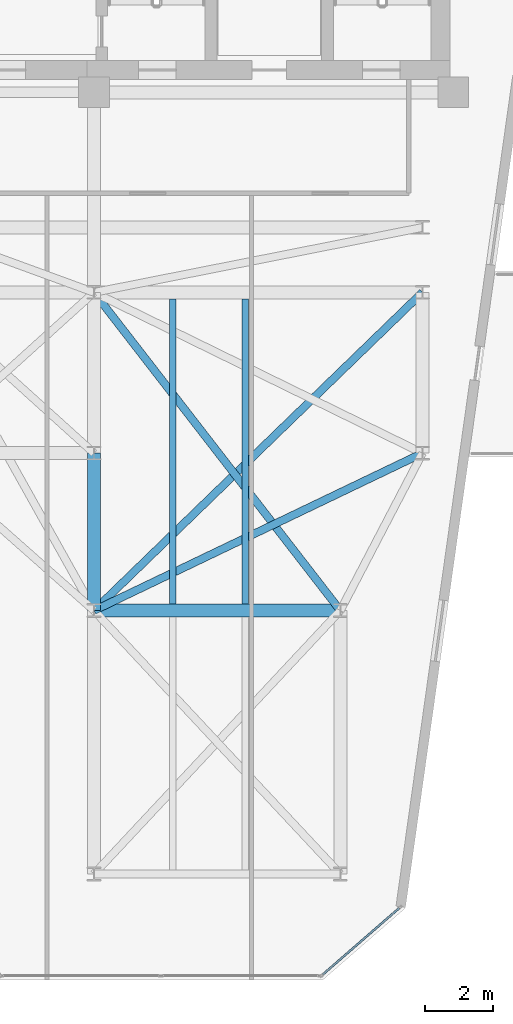
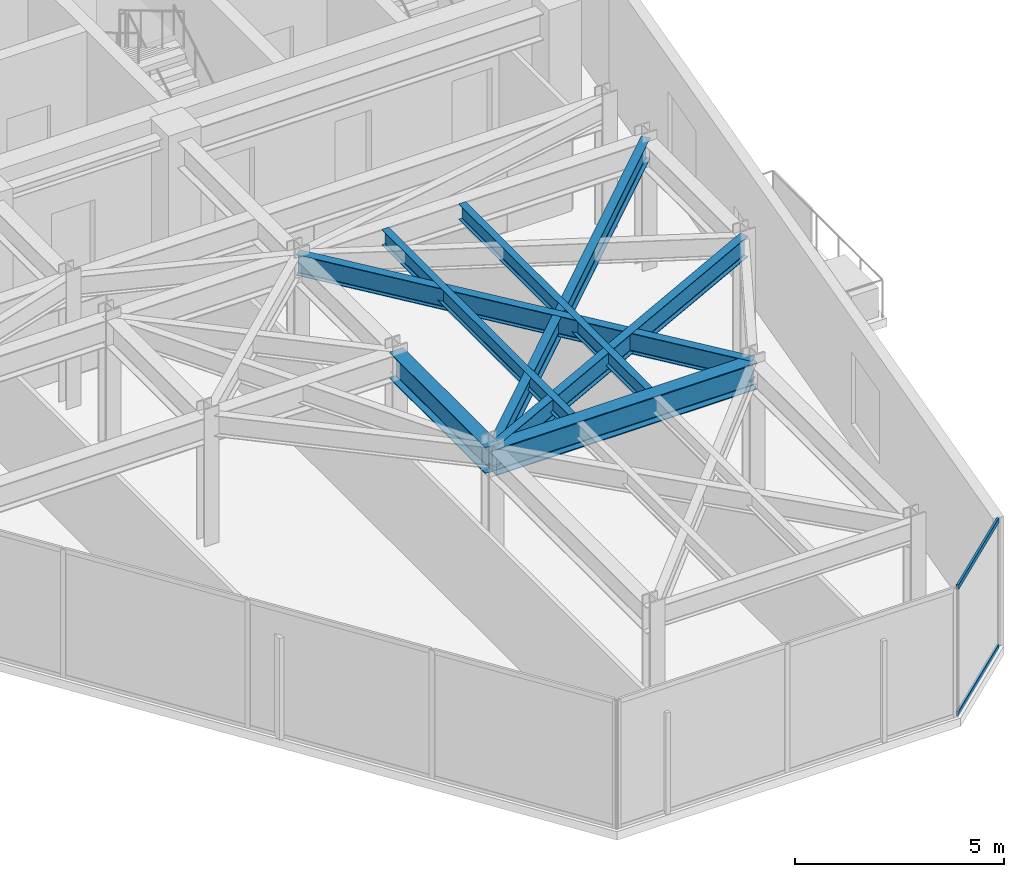
# One storey, part 13 of 21: 7 beams, 2 members, 1 element without a shape of its own.
"""IFC4 building model written with IfcOpenShell, lengths in metres."""

from ifc_helpers import new_model, si_unit, direction, frame, origin, origin_2d, place, context, subcontext, project, spatial, hollow_rectangle, i_section, extrude, material, layer, layer_set, material_profile, profile_set, type_object, element, aggregate, save


model = new_model("IFC4")

# Units and contexts
model_context = context("Model", 3, precision=1e-05, world=origin(), true_north=direction((0.0, 1.0)))
body_context = subcontext(model_context, "Body", "Model", "MODEL_VIEW")
ifc_project = project(units=[si_unit("LENGTHUNIT", "METRE"), si_unit("AREAUNIT", "SQUARE_METRE"), si_unit("VOLUMEUNIT", "CUBIC_METRE"), si_unit("PLANEANGLEUNIT", "RADIAN"), si_unit("MASSUNIT", "GRAM", prefix="KILO")], contexts=[model_context])

# Site, building, storey
site_placement = place(None, origin())
site = spatial("IfcSite", under=ifc_project, at=site_placement, CompositionType="ELEMENT")
building_placement = place(site_placement, origin())
building = spatial("IfcBuilding", under=site, at=building_placement, Name="Kravanh Interchange Tower", CompositionType="ELEMENT")
storey_placement = place(building_placement, frame((0.0, 0.0, 216.5)))
storey = spatial("IfcBuildingStorey", under=building, at=storey_placement, Name="L52", CompositionType="ELEMENT", Elevation=216.5)

# Curtain wall, members
ifc_material_1 = material(Name="Anodised Bronze Aluminium", Category="aluminium")
ifc_layer = layer(ifc_material_1, 0.179931640625)
ifc_layer_set = layer_set([ifc_layer], Name="Unitised Curtain Wall System CW-Z3 Upper Office")
curtain_wall_type = type_object("IfcCurtainWallType", Name="Unitised Curtain Wall System CW-Z3 Upper Office", PredefinedType="NOTDEFINED", material=ifc_layer_set)
curtain_wall_placement = place(storey_placement, origin())
curtain_wall = element("IfcCurtainWall", 1, at=curtain_wall_placement, inside=storey, type_object=curtain_wall_type, Name="L52 Unitised Curtain Wall CW-L52-01", PredefinedType="NOTDEFINED")
ifc_material_2 = material(Name="Anodised Bronze Aluminium", Category="aluminium")
ifc_material_profile_1 = material_profile(ifc_material_2, hollow_rectangle(XDim=0.06005859375, YDim=0.139892578125, WallThickness=0.00390625, at=origin_2d()), Name="ALU60X140X4")
ifc_profile_set_1 = profile_set([ifc_material_profile_1], Name="Anodised Bronze Aluminium")
member_type = type_object("IfcMemberType", Name="Curtain Wall Transom ALU60X140X4 Bronze", PredefinedType="USERDEFINED", material=ifc_profile_set_1)
member_1_placement = place(storey_placement, frame((64.92041015625, 13.501220703125, 0.030029296875), z_axis=(-0.754744002238, -0.656019428893, 0.0), x_axis=(0.656019428893, -0.754744002238, 0.0)))
member_1 = element("IfcMember", 2, at=member_1_placement, type_object=member_type, Name="CW-Z3 transom 1.1", ObjectType="TRANSOM", PredefinedType="USERDEFINED", context=body_context, shape_type="SweptSolid", body=[
    extrude(hollow_rectangle(XDim=0.06005859375, YDim=0.139892578125, WallThickness=0.00390625, at=origin_2d()), origin(), (0.0, 0.0, 1.0), 2.960205078125),
])
member_2_placement = place(storey_placement, frame((64.92041015625, 13.501220703125, 3.715087890625), z_axis=(-0.754744002238, -0.656019428893, 0.0), x_axis=(0.656019428893, -0.754744002238, 0.0)))
member_2 = element("IfcMember", 3, at=member_2_placement, type_object=member_type, Name="CW-Z3 transom 1.2", ObjectType="TRANSOM", PredefinedType="USERDEFINED", context=body_context, shape_type="SweptSolid", body=[
    extrude(hollow_rectangle(XDim=0.06005859375, YDim=0.139892578125, WallThickness=0.00390625, at=origin_2d()), origin(), (0.0, 0.0, 1.0), 2.960205078125),
])
aggregate(curtain_wall, [member_1, member_2])

# Beams
ifc_material_3 = material(Name="Structural Steel S355", Category="steel")
ifc_material_profile_2 = material_profile(ifc_material_3, i_section(OverallWidth=0.381103515625, OverallDepth=0.77294921875, WebThickness=0.0166015625, FlangeThickness=0.027099609375, FilletRadius=0.02490234375, at=origin_2d()), Name="W30X173")
ifc_profile_set_2 = profile_set([ifc_material_profile_2], Name="Structural Steel S355")
beam_type_1 = type_object("IfcBeamType", Name="Floor Beam W30X173 Structural Steel S355", PredefinedType="BEAM", material=ifc_profile_set_2)
beam_1_placement = place(storey_placement, frame((56.0, 26.800048828125, 3.3583984375), z_axis=(0.0, -1.0, 0.0), x_axis=(1.0, 0.0, 0.0)))
element("IfcBeam", 4, at=beam_1_placement, inside=storey, type_object=beam_type_1, Name="L52 Primary Floor Girder 53", PredefinedType="BEAM", context=body_context, shape_type="SweptSolid", body=[
    extrude(i_section(OverallWidth=0.381103515625, OverallDepth=0.77294921875, WebThickness=0.0166015625, FlangeThickness=0.027099609375, FilletRadius=0.02490234375, at=origin_2d()), origin(), (0.0, 0.0, 1.0), 4.60009765625),
])
beam_2_placement = place(storey_placement, frame((56.0, 22.199951171875, 3.3583984375), z_axis=(1.0, 0.0, 0.0), x_axis=(0.0, 1.0, 0.0)))
element("IfcBeam", 5, at=beam_2_placement, inside=storey, type_object=beam_type_1, Name="L52 Primary Floor Girder 92", PredefinedType="BEAM", context=body_context, shape_type="SweptSolid", body=[
    extrude(i_section(OverallWidth=0.381103515625, OverallDepth=0.77294921875, WebThickness=0.0166015625, FlangeThickness=0.027099609375, FilletRadius=0.02490234375, at=origin_2d()), origin(), (0.0, 0.0, 1.0), 7.199951171875),
])
ifc_material_4 = material(Name="Structural Steel S355", Category="steel")
ifc_material_profile_3 = material_profile(ifc_material_4, i_section(OverallWidth=0.18994140625, OverallDepth=0.45703125, WebThickness=0.009033203125, FlangeThickness=0.014404296875, FilletRadius=0.01806640625, at=origin_2d()), Name="W18X50")
ifc_profile_set_3 = profile_set([ifc_material_profile_3], Name="Structural Steel S355")
beam_type_2 = type_object("IfcBeamType", Name="Floor Joist W18X50 Structural Steel S355", PredefinedType="JOIST", material=ifc_profile_set_3)
for number, where, z_axis, x_axis, name in (
    (6, (58.302001953125, 22.385498046875, 3.5166015625), (0.0, 1.0, 0.0), (-1.0, 0.0, 0.0), "L52 Secondary Floor Joist 7"),
    (7, (60.426025390625, 22.385498046875, 3.5166015625), (0.0, 1.0, 0.0), (-1.0, 0.0, 0.0), "L52 Secondary Floor Joist 8"),
):
    element("IfcBeam", number, at=place(storey_placement, frame(where, z_axis=z_axis, x_axis=x_axis)), inside=storey, type_object=beam_type_2, Name=name, PredefinedType="JOIST", context=body_context, shape_type="SweptSolid", body=[
        extrude(i_section(OverallWidth=0.18994140625, OverallDepth=0.45703125, WebThickness=0.009033203125, FlangeThickness=0.014404296875, FilletRadius=0.01806640625, at=origin_2d()), origin(), (0.0, 0.0, 1.0), 8.928955078125),
    ])
ifc_material_5 = material(Name="Structural Steel S355", Category="steel")
ifc_material_profile_4 = material_profile(ifc_material_5, i_section(OverallWidth=0.22802734375, OverallDepth=0.60791015625, WebThickness=0.01123046875, FlangeThickness=0.017333984375, FilletRadius=0.02197265625, at=origin_2d()), Name="W24X76")
ifc_profile_set_4 = profile_set([ifc_material_profile_4], Name="Structural Steel S355")
beam_type_3 = type_object("IfcBeamType", Name="Floor Spandrel W24X76 Structural Steel S355", PredefinedType="SPANDREL", material=ifc_profile_set_4)
beam_3_placement = place(storey_placement, frame((65.60009765625, 26.800048828125, 3.44091796875), z_axis=(-0.901814166789, -0.432124066188, 0.0), x_axis=(0.432124066188, -0.901814166789, 0.0)))
element("IfcBeam", 8, at=beam_3_placement, inside=storey, type_object=beam_type_3, Name="L52 Perimeter Spandrel 59", PredefinedType="SPANDREL", context=body_context, shape_type="SweptSolid", body=[
    extrude(i_section(OverallWidth=0.22802734375, OverallDepth=0.60791015625, WebThickness=0.01123046875, FlangeThickness=0.017333984375, FilletRadius=0.02197265625, at=origin_2d()), origin(), (0.0, 0.0, 1.0), 10.645263671875),
])
beam_4_placement = place(storey_placement, frame((56.0, 31.5, 3.44091796875), z_axis=(0.612168587637, -0.790727273028, 0.0), x_axis=(0.790727273028, 0.612168587637, 0.0)))
element("IfcBeam", 9, at=beam_4_placement, inside=storey, type_object=beam_type_3, Name="L52 Perimeter Spandrel 83", PredefinedType="SPANDREL", context=body_context, shape_type="SweptSolid", body=[
    extrude(i_section(OverallWidth=0.22802734375, OverallDepth=0.60791015625, WebThickness=0.01123046875, FlangeThickness=0.017333984375, FilletRadius=0.02197265625, at=origin_2d()), origin(), (0.0, 0.0, 1.0), 11.761474609375),
])
beam_5_placement = place(storey_placement, frame((65.60009765625, 31.5, 3.44091796875), z_axis=(-0.718241934329, -0.695793449072, 0.0), x_axis=(0.695793449072, -0.718241934329, 0.0)))
element("IfcBeam", 10, at=beam_5_placement, inside=storey, type_object=beam_type_3, Name="L52 Perimeter Spandrel 85", PredefinedType="SPANDREL", context=body_context, shape_type="SweptSolid", body=[
    extrude(i_section(OverallWidth=0.22802734375, OverallDepth=0.60791015625, WebThickness=0.01123046875, FlangeThickness=0.017333984375, FilletRadius=0.02197265625, at=origin_2d()), origin(), (0.0, 0.0, 1.0), 13.3662109375),
])

save(model, "model.ifc")
